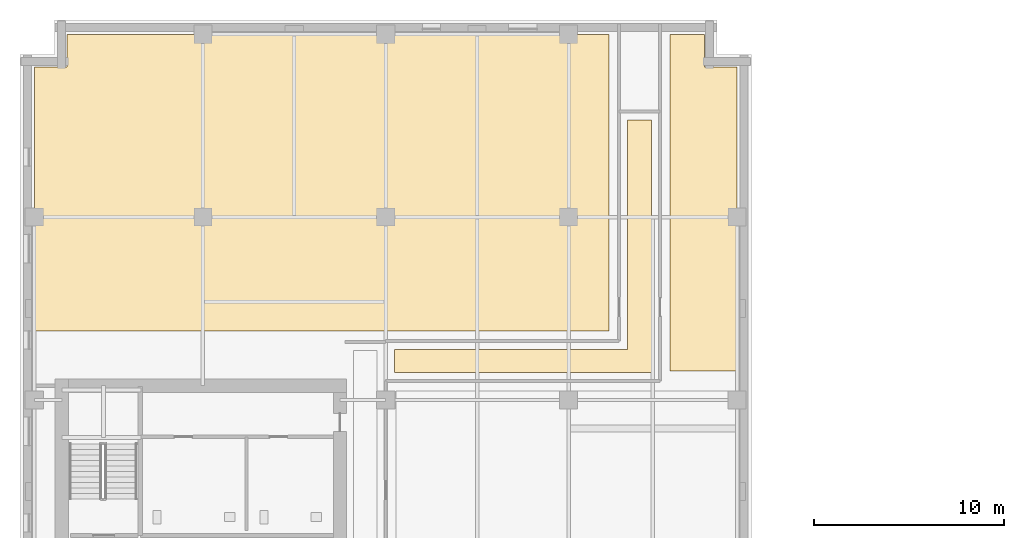
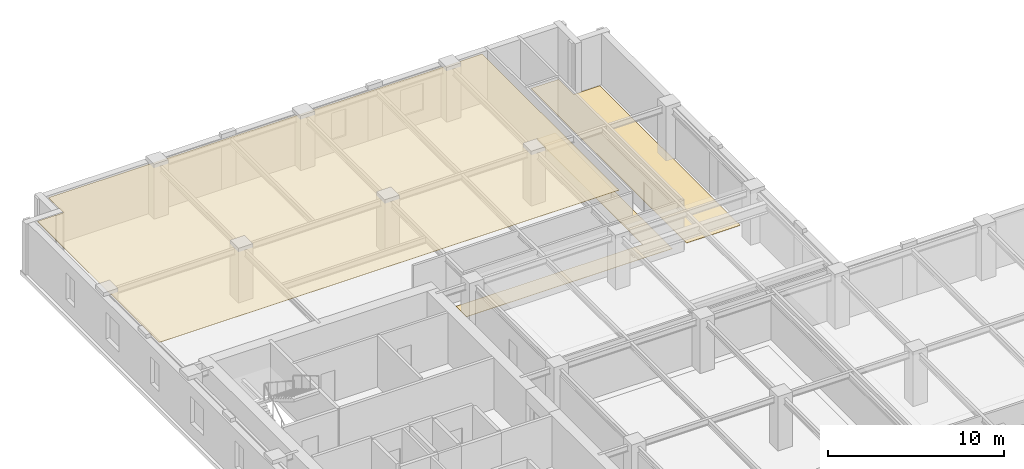
# One storey, part 12 of 13: 3 coverings.
"""IFC4 building model written with IfcOpenShell, lengths in metres."""

from ifc_helpers import new_model, si_unit, direction, frame, origin, place, context, subcontext, project, spatial, polyline, outline, extrude, material, layer, layer_set, type_object, element, save


model = new_model("IFC4")

# Units and contexts
model_context = context("Model", 3, precision=1e-05, world=origin(), true_north=direction((0.0, 1.0)))
body_context = subcontext(model_context, "Body", "Model", "MODEL_VIEW")
ifc_project = project(units=[si_unit("LENGTHUNIT", "METRE"), si_unit("AREAUNIT", "SQUARE_METRE"), si_unit("VOLUMEUNIT", "CUBIC_METRE"), si_unit("PLANEANGLEUNIT", "RADIAN"), si_unit("MASSUNIT", "GRAM", prefix="KILO")], contexts=[model_context])

# Site, building, storey
site_placement = place(None, origin())
site = spatial("IfcSite", under=ifc_project, at=site_placement, CompositionType="ELEMENT")
building_placement = place(site_placement, origin())
building = spatial("IfcBuilding", under=site, at=building_placement, Name="Norrvale University Quadrangle", CompositionType="ELEMENT")
storey_placement = place(building_placement, frame((0.0, 0.0, 163.60009765625)))
storey = spatial("IfcBuildingStorey", under=building, at=storey_placement, Name="L41", CompositionType="ELEMENT", Elevation=163.60009765625)

# Coverings
ifc_material_1 = material(Name="Perforated Acoustic Mineral Ceiling")
ifc_layer_1 = layer(ifc_material_1, 0.02490234375, Name="Perforated Acoustic Mineral Ceiling")
ifc_layer_set_1 = layer_set([ifc_layer_1], Name="Perforated Acoustic Mineral Ceiling")
covering_type_1 = type_object("IfcCoveringType", Name="Covering Acoustic Ceiling 25", PredefinedType="CEILING", material=ifc_layer_set_1)
covering_1_placement = place(storey_placement, frame((0.0, 0.0, 3.514892578125)))
element("IfcCovering", 1, at=covering_1_placement, inside=storey, type_object=covering_type_1, Name="Acoustic Ceiling RM-L41-NW01", PredefinedType="CEILING", context=body_context, shape_type="SweptSolid", body=[
    extrude(outline(polyline([(30.919921875, 66.449951171875), (30.919921875, 50.8798828125), (0.75, 50.8798828125), (0.75, 64.72998046875), (2.469970703125, 64.72998046875), (2.469970703125, 66.449951171875), (30.919921875, 66.449951171875)])), origin(), (0.0, 0.0, 1.0), 0.02490234375),
])
ifc_material_2 = material(Name="Polished Terrazzo Flooring")
ifc_layer_2 = layer(ifc_material_2, 0.02490234375, Name="Polished Terrazzo Flooring")
ifc_layer_set_2 = layer_set([ifc_layer_2], Name="Polished Terrazzo Flooring")
covering_type_2 = type_object("IfcCoveringType", Name="Covering Terrazzo Floor 30", PredefinedType="FLOORING", material=ifc_layer_set_2)
covering_2_placement = place(storey_placement, origin())
element("IfcCovering", 2, at=covering_2_placement, inside=storey, type_object=covering_type_2, Name="Terrazzo Flooring RM-L41-NCJOG", PredefinedType="FLOORING", context=body_context, shape_type="SweptSolid", body=[
    extrude(outline(polyline([(19.64990234375, 48.699951171875), (19.64990234375, 49.89990234375), (31.89990234375, 49.89990234375), (31.89990234375, 61.949951171875), (33.14990234375, 61.949951171875), (33.14990234375, 48.699951171875), (19.64990234375, 48.699951171875)])), origin(), (0.0, 0.0, 1.0), 0.02490234375),
])
covering_3_placement = place(storey_placement, origin())
element("IfcCovering", 3, at=covering_3_placement, inside=storey, type_object=covering_type_2, Name="Terrazzo Flooring RM-L41-NE01", PredefinedType="FLOORING", context=body_context, shape_type="SweptSolid", body=[
    extrude(outline(polyline([(37.64990234375, 48.780029296875), (34.1298828125, 48.780029296875), (34.1298828125, 66.449951171875), (35.929931640625, 66.449951171875), (35.929931640625, 64.72998046875), (37.64990234375, 64.72998046875), (37.64990234375, 48.780029296875)])), origin(), (0.0, 0.0, 1.0), 0.02490234375),
])

save(model, "model.ifc")
